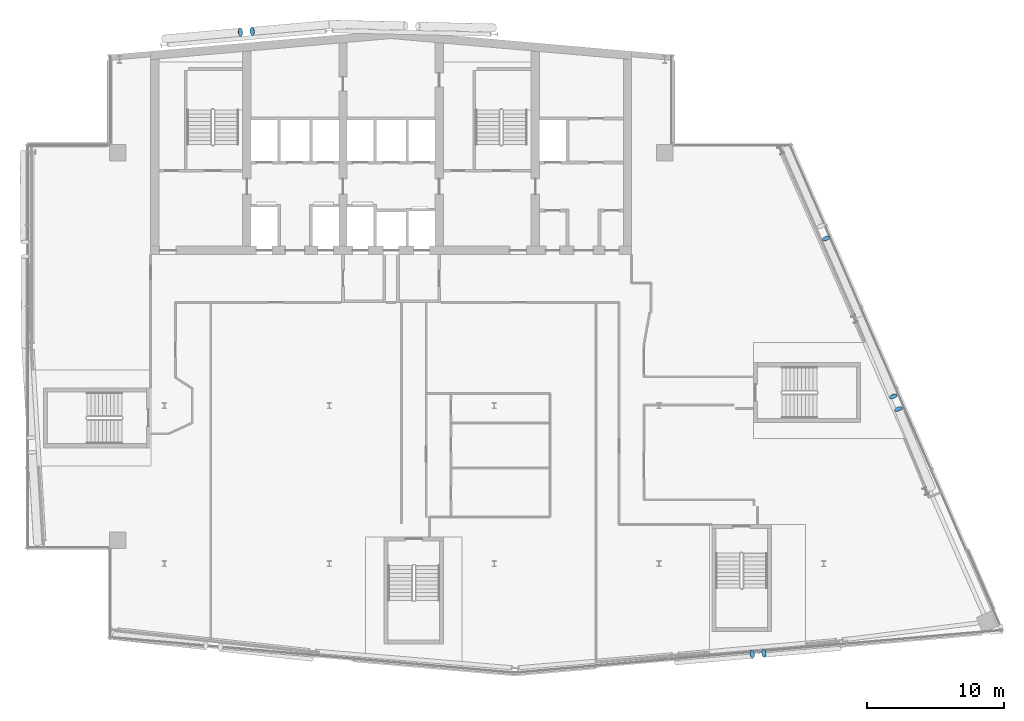
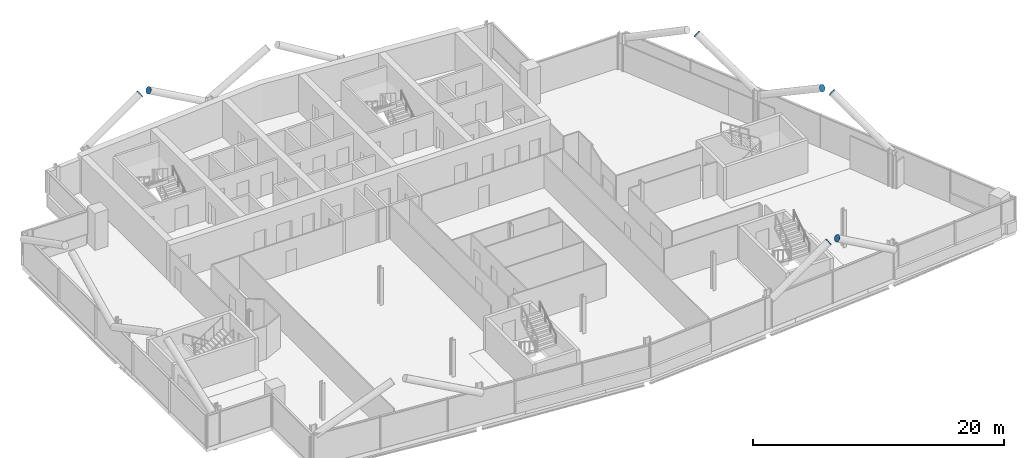
# One storey, part 21 of 25: 7 discrete accessories.
"""IFC4 building model written with IfcOpenShell, lengths in metres."""

from ifc_helpers import new_model, si_unit, direction, frame, origin, origin_2d, place, context, subcontext, project, spatial, circle, extrude, material, material_profile, profile_set, type_object, element, save


model = new_model("IFC4")

# Units and contexts
model_context = context("Model", 3, precision=1e-05, world=origin(), true_north=direction((0.0, 1.0)))
body_context = subcontext(model_context, "Body", "Model", "MODEL_VIEW")
ifc_project = project(units=[si_unit("LENGTHUNIT", "METRE"), si_unit("AREAUNIT", "SQUARE_METRE"), si_unit("VOLUMEUNIT", "CUBIC_METRE"), si_unit("PLANEANGLEUNIT", "RADIAN"), si_unit("MASSUNIT", "GRAM", prefix="KILO")], contexts=[model_context])

# Site, building, storey
site_placement = place(None, origin())
site = spatial("IfcSite", under=ifc_project, at=site_placement, CompositionType="ELEMENT")
building_placement = place(site_placement, origin())
building = spatial("IfcBuilding", under=site, at=building_placement, Name="Wharfspan Tower", CompositionType="ELEMENT")
storey_placement = place(building_placement, frame((0.0, 0.0, 232.300049)))
storey = spatial("IfcBuildingStorey", under=building, at=storey_placement, Name="L58", CompositionType="ELEMENT", Elevation=232.300049)

# Discrete accessories
ifc_material = material(Name="Steel S460NH", Category="steel")
ifc_material_profile = material_profile(ifc_material, circle(Radius=0.304932, at=origin_2d()))
ifc_profile_set = profile_set([ifc_material_profile], Name="Steel S460NH")
discrete_accessory_type = type_object("IfcDiscreteAccessoryType", Name="End plate CHS 610x25", PredefinedType="BRACKET", material=ifc_profile_set)
for number, where, z_axis, x_axis, name in (
    (1, (66.778564, 4.9104, 6.240479), (0.855186, 0.073302, 0.513112), (-0.085402, 0.996345, 1e-06), "End plate CHS 610x25"),
    (2, (67.638428, 4.985596, 6.240479), (-0.855186, -0.073302, 0.513112), (0.085402, -0.996345, 1e-06), "End plate CHS 610x25"),
    (3, (77.431885, 22.744141, 6.232666), (-0.316603, 0.828038, 0.462727), (-0.934054, -0.357138, -1e-06), "End plate CHS 610x25"),
    (4, (77.047607, 23.675049, 6.232666), (0.345075, -0.81339, 0.468316), (0.920586, 0.390551, -2e-06), "End plate CHS 610x25"),
    (5, (72.16748, 35.160156, 6.233398), (-0.366508, 0.806318, 0.464244), (-0.910368, -0.413804, 1e-06), "End plate CHS 610x25"),
    (6, (29.527588, 50.172119, 6.240234), (0.855186, 0.073302, 0.513112), (-0.085402, 0.996345, 1e-06), "End plate CHS 610x25"),
    (7, (30.393555, 50.248047, 6.240234), (-0.855186, -0.073302, 0.513112), (0.085402, -0.996345, 1e-06), "End plate CHS 610x25"),
):
    element("IfcDiscreteAccessory", number, at=place(storey_placement, frame(where, z_axis=z_axis, x_axis=x_axis)), inside=storey, type_object=discrete_accessory_type, Name=name, PredefinedType="BRACKET", context=body_context, shape_type="SweptSolid", body=[
        extrude(circle(Radius=0.304932, at=origin_2d()), origin(), (0.0, 0.0, 1.0), 0.01001),
    ])

save(model, "model.ifc")
